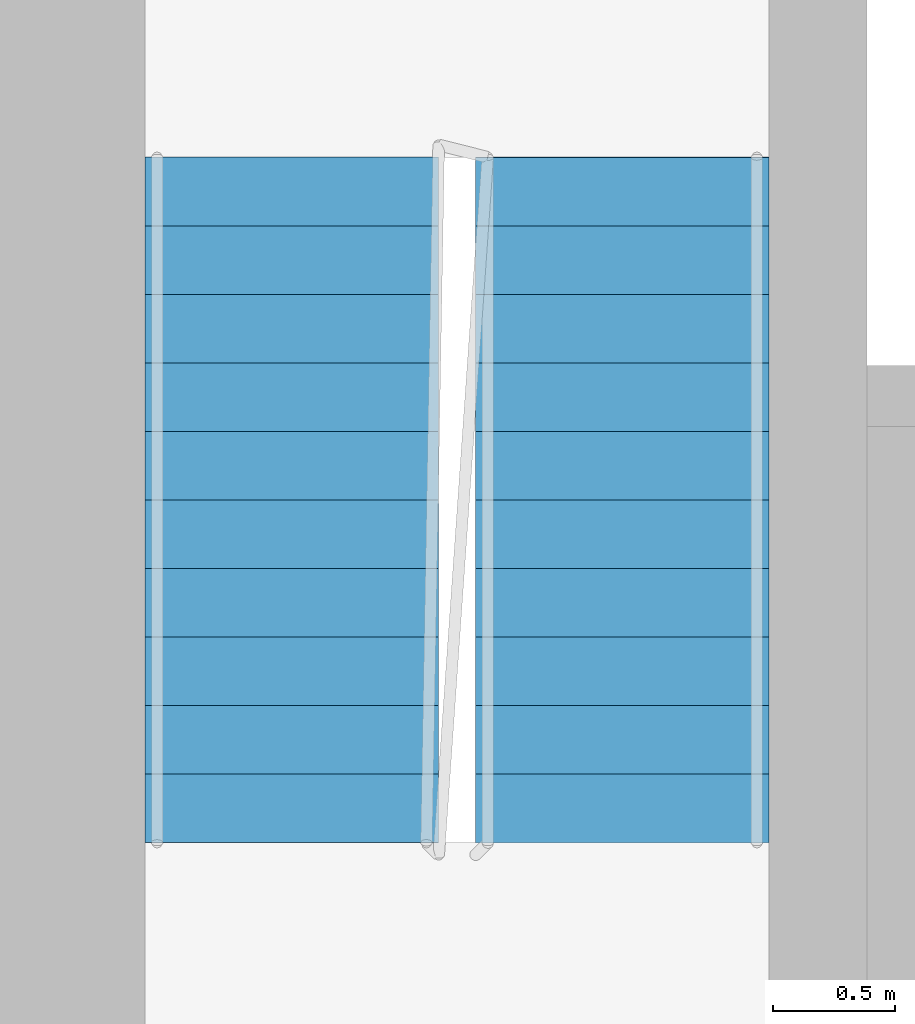
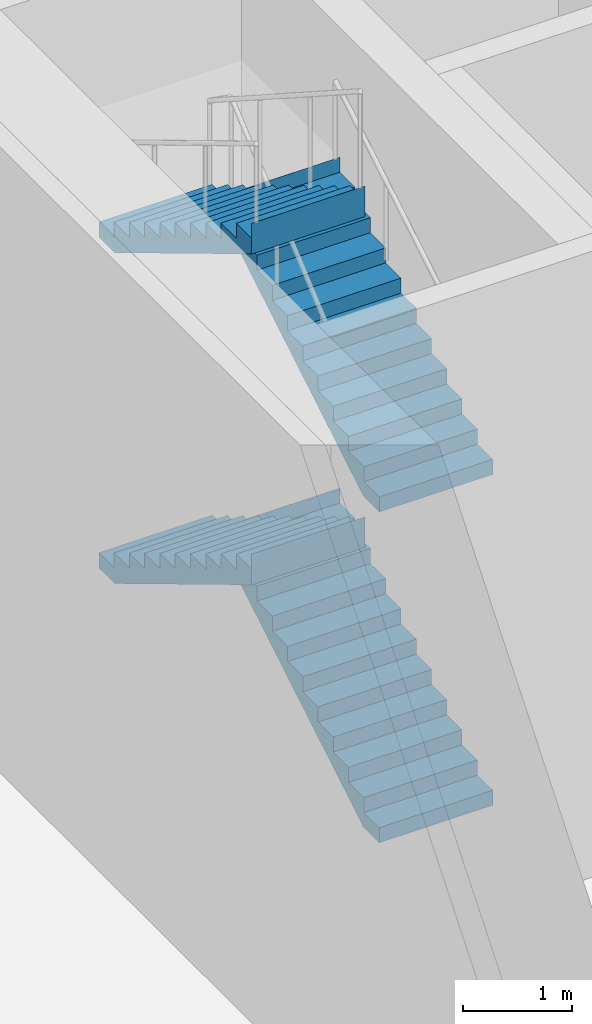
# One storey, part 20 of 25: 4 stair flights, 1 element without a shape of its own.
"""IFC4 building model written with IfcOpenShell, lengths in metres."""

from ifc_helpers import new_model, si_unit, direction, frame, origin, place, context, subcontext, project, spatial, faceted_brep, material, type_object, element, aggregate, save


model = new_model("IFC4")

# Units and contexts
model_context = context("Model", 3, precision=1e-05, world=origin(), true_north=direction((0.0, 1.0)))
body_context = subcontext(model_context, "Body", "Model", "MODEL_VIEW")
ifc_project = project(units=[si_unit("LENGTHUNIT", "METRE"), si_unit("AREAUNIT", "SQUARE_METRE"), si_unit("VOLUMEUNIT", "CUBIC_METRE"), si_unit("PLANEANGLEUNIT", "RADIAN"), si_unit("MASSUNIT", "GRAM", prefix="KILO")], contexts=[model_context])

# Site, building, storey
site_placement = place(None, origin())
site = spatial("IfcSite", under=ifc_project, at=site_placement, CompositionType="ELEMENT")
building_placement = place(site_placement, origin())
building = spatial("IfcBuilding", under=site, at=building_placement, Name="Kajstack Hotel Tower", CompositionType="ELEMENT")
storey_placement = place(building_placement, frame((0.0, 0.0, 155.0)))
storey = spatial("IfcBuildingStorey", under=building, at=storey_placement, Name="L36", CompositionType="ELEMENT", Elevation=155.0)

# Stair, stair flights
ifc_material = material(Name="Concrete C40/50", Category="concrete")
stair_type = type_object("IfcStairType", Name="Exit stair 1200", PredefinedType="HALF_TURN_STAIR", material=ifc_material)
stair_placement = place(storey_placement, origin())
stair = element("IfcStair", 1, at=stair_placement, inside=storey, type_object=stair_type, Name="L36 stair E2", PredefinedType="HALF_TURN_STAIR")
stair_flight_type = type_object("IfcStairFlightType", Name="Exit stair flight 1200", PredefinedType="STRAIGHT", material=ifc_material)
stair_flight_1_placement = place(storey_placement, frame((16.35009765625, 10.0, 0.0), z_axis=(0.0, 0.0, 1.0), x_axis=(0.0, 1.0, 0.0)))
stair_flight_1 = element("IfcStairFlight", 2, at=stair_flight_1_placement, type_object=stair_flight_type, Name="E2 flight 1", NumberOfRisers=11, NumberOfTreads=10, PredefinedType="STRAIGHT", RiserHeight=0.168181818, TreadLength=0.28, context=body_context, shape_type="Brep", body=[
    faceted_brep([(0.291748046875, -0.60009765625, 0.0), (2.800537109375, -0.60009765625, 1.5068359375), (2.800537109375, -0.60009765625, 1.85009765625), (2.800048828125, -0.60009765625, 1.85009765625), (2.800048828125, -0.60009765625, 1.681884765625), (2.52001953125, -0.60009765625, 1.681884765625), (2.52001953125, -0.60009765625, 1.513671875), (2.239990234375, -0.60009765625, 1.513671875), (2.239990234375, -0.60009765625, 1.345458984375), (1.9599609375, -0.60009765625, 1.345458984375), (1.9599609375, -0.60009765625, 1.17724609375), (1.679931640625, -0.60009765625, 1.17724609375), (1.679931640625, -0.60009765625, 1.009033203125), (1.39990234375, -0.60009765625, 1.009033203125), (1.39990234375, -0.60009765625, 0.8408203125), (1.1201171875, -0.60009765625, 0.8408203125), (1.1201171875, -0.60009765625, 0.672607421875), (0.840087890625, -0.60009765625, 0.672607421875), (0.840087890625, -0.60009765625, 0.504638671875), (0.56005859375, -0.60009765625, 0.504638671875), (0.56005859375, -0.60009765625, 0.33642578125), (0.280029296875, -0.60009765625, 0.33642578125), (0.280029296875, -0.60009765625, 0.168212890625), (-0.00048828125, -0.60009765625, 0.168212890625), (-0.00048828125, -0.60009765625, 0.0), (-0.00048828125, 0.60009765625, 0.0), (-0.00048828125, 0.60009765625, 0.168212890625), (0.280029296875, 0.60009765625, 0.168212890625), (0.280029296875, 0.60009765625, 0.33642578125), (0.56005859375, 0.60009765625, 0.33642578125), (0.56005859375, 0.60009765625, 0.504638671875), (0.840087890625, 0.60009765625, 0.504638671875), (0.840087890625, 0.60009765625, 0.672607421875), (1.1201171875, 0.60009765625, 0.672607421875), (1.1201171875, 0.60009765625, 0.8408203125), (1.39990234375, 0.60009765625, 0.8408203125), (1.39990234375, 0.60009765625, 1.009033203125), (1.679931640625, 0.60009765625, 1.009033203125), (1.679931640625, 0.60009765625, 1.17724609375), (1.9599609375, 0.60009765625, 1.17724609375), (1.9599609375, 0.60009765625, 1.345458984375), (2.239990234375, 0.60009765625, 1.345458984375), (2.239990234375, 0.60009765625, 1.513671875), (2.52001953125, 0.60009765625, 1.513671875), (2.52001953125, 0.60009765625, 1.681884765625), (2.800048828125, 0.60009765625, 1.681884765625), (2.800048828125, 0.60009765625, 1.85009765625), (2.800537109375, 0.60009765625, 1.85009765625), (2.800537109375, 0.60009765625, 1.5068359375), (0.291748046875, 0.60009765625, 0.0), (-0.00048828125, -0.300048828125, 0.168212890625), (-0.00048828125, 0.0, 0.168212890625), (-0.00048828125, 0.300048828125, 0.168212890625), (-0.00048828125, 0.300048828125, 0.0), (-0.00048828125, 0.0, 0.0), (-0.00048828125, -0.300048828125, 0.0), (0.280029296875, -0.300048828125, 0.168212890625), (0.280029296875, 0.0, 0.168212890625), (0.280029296875, 0.300048828125, 0.168212890625), (0.280029296875, -0.300048828125, 0.33642578125), (0.280029296875, 0.0, 0.33642578125), (0.280029296875, 0.300048828125, 0.33642578125), (0.56005859375, -0.300048828125, 0.33642578125), (0.56005859375, 0.0, 0.33642578125), (0.56005859375, 0.300048828125, 0.33642578125), (0.56005859375, -0.300048828125, 0.504638671875), (0.56005859375, 0.0, 0.504638671875), (0.56005859375, 0.300048828125, 0.504638671875), (0.840087890625, -0.300048828125, 0.504638671875), (0.840087890625, 0.0, 0.504638671875), (0.840087890625, 0.300048828125, 0.504638671875), (0.840087890625, -0.300048828125, 0.672607421875), (0.840087890625, 0.0, 0.672607421875), (0.840087890625, 0.300048828125, 0.672607421875), (1.1201171875, -0.300048828125, 0.672607421875), (1.1201171875, 0.0, 0.672607421875), (1.1201171875, 0.300048828125, 0.672607421875), (1.1201171875, -0.300048828125, 0.8408203125), (1.1201171875, 0.0, 0.8408203125), (1.1201171875, 0.300048828125, 0.8408203125), (1.39990234375, -0.300048828125, 0.8408203125), (1.39990234375, 0.0, 0.8408203125), (1.39990234375, 0.300048828125, 0.8408203125), (1.39990234375, -0.300048828125, 1.009033203125), (1.39990234375, 0.0, 1.009033203125), (1.39990234375, 0.300048828125, 1.009033203125), (1.679931640625, -0.300048828125, 1.009033203125), (1.679931640625, 0.0, 1.009033203125), (1.679931640625, 0.300048828125, 1.009033203125), (1.679931640625, -0.300048828125, 1.17724609375), (1.679931640625, 0.0, 1.17724609375), (1.679931640625, 0.300048828125, 1.17724609375), (1.9599609375, -0.300048828125, 1.17724609375), (1.9599609375, 0.0, 1.17724609375), (1.9599609375, 0.300048828125, 1.17724609375), (1.9599609375, -0.300048828125, 1.345458984375), (1.9599609375, 0.0, 1.345458984375), (1.9599609375, 0.300048828125, 1.345458984375), (2.239990234375, -0.300048828125, 1.345458984375), (2.239990234375, 0.0, 1.345458984375), (2.239990234375, 0.300048828125, 1.345458984375), (2.239990234375, -0.300048828125, 1.513671875), (2.239990234375, 0.0, 1.513671875), (2.239990234375, 0.300048828125, 1.513671875), (2.52001953125, -0.300048828125, 1.513671875), (2.52001953125, 0.0, 1.513671875), (2.52001953125, 0.300048828125, 1.513671875), (2.52001953125, -0.300048828125, 1.681884765625), (2.52001953125, 0.0, 1.681884765625), (2.52001953125, 0.300048828125, 1.681884765625), (2.800048828125, -0.300048828125, 1.681884765625), (2.800048828125, 0.0, 1.681884765625), (2.800048828125, 0.300048828125, 1.681884765625), (2.800048828125, -0.300048828125, 1.85009765625), (2.800048828125, 0.0, 1.85009765625), (2.800048828125, 0.300048828125, 1.85009765625), (2.800537109375, -0.300048828125, 1.85009765625), (2.800537109375, 0.0, 1.85009765625), (2.800537109375, 0.300048828125, 1.85009765625), (2.800537109375, -0.300048828125, 1.5068359375), (2.800537109375, 0.0, 1.5068359375), (2.800537109375, 0.300048828125, 1.5068359375), (0.291748046875, -0.300048828125, 0.0), (0.291748046875, 0.0, 0.0), (0.291748046875, 0.300048828125, 0.0)], [[[0, 1, 2, 3, 4, 5, 6, 7, 8, 9, 10, 11, 12, 13, 14, 15, 16, 17, 18, 19, 20, 21, 22, 23, 24]], [[25, 26, 27, 28, 29, 30, 31, 32, 33, 34, 35, 36, 37, 38, 39, 40, 41, 42, 43, 44, 45, 46, 47, 48, 49]], [[23, 50, 51, 52, 26, 25, 53, 54, 55, 24]], [[22, 56, 57, 58, 27, 26, 52, 51, 50, 23]], [[21, 59, 60, 61, 28, 27, 58, 57, 56, 22]], [[20, 62, 63, 64, 29, 28, 61, 60, 59, 21]], [[19, 65, 66, 67, 30, 29, 64, 63, 62, 20]], [[18, 68, 69, 70, 31, 30, 67, 66, 65, 19]], [[17, 71, 72, 73, 32, 31, 70, 69, 68, 18]], [[16, 74, 75, 76, 33, 32, 73, 72, 71, 17]], [[15, 77, 78, 79, 34, 33, 76, 75, 74, 16]], [[14, 80, 81, 82, 35, 34, 79, 78, 77, 15]], [[13, 83, 84, 85, 36, 35, 82, 81, 80, 14]], [[12, 86, 87, 88, 37, 36, 85, 84, 83, 13]], [[11, 89, 90, 91, 38, 37, 88, 87, 86, 12]], [[10, 92, 93, 94, 39, 38, 91, 90, 89, 11]], [[9, 95, 96, 97, 40, 39, 94, 93, 92, 10]], [[8, 98, 99, 100, 41, 40, 97, 96, 95, 9]], [[7, 101, 102, 103, 42, 41, 100, 99, 98, 8]], [[6, 104, 105, 106, 43, 42, 103, 102, 101, 7]], [[5, 107, 108, 109, 44, 43, 106, 105, 104, 6]], [[4, 110, 111, 112, 45, 44, 109, 108, 107, 5]], [[3, 113, 114, 115, 46, 45, 112, 111, 110, 4]], [[2, 116, 117, 118, 47, 46, 115, 114, 113, 3]], [[1, 119, 120, 121, 48, 47, 118, 117, 116, 2]], [[0, 122, 123, 124, 49, 48, 121, 120, 119, 1]], [[24, 55, 54, 53, 25, 49, 124, 123, 122, 0]]]),
])
stair_flight_2_placement = place(storey_placement, frame((15.0, 12.800048828125, 1.85009765625), z_axis=(0.0, 0.0, 1.0), x_axis=(0.0, -1.0, 0.0)))
stair_flight_2 = element("IfcStairFlight", 3, at=stair_flight_2_placement, type_object=stair_flight_type, Name="E2 flight 2", NumberOfRisers=11, NumberOfTreads=10, PredefinedType="STRAIGHT", RiserHeight=0.168181818, TreadLength=0.28, context=body_context, shape_type="Brep", body=[
    faceted_brep([(0.291748046875, -0.60009765625, 0.0), (2.800537109375, -0.60009765625, 1.5068359375), (2.800537109375, -0.60009765625, 1.85009765625), (2.800048828125, -0.60009765625, 1.85009765625), (2.800048828125, -0.60009765625, 1.681884765625), (2.52001953125, -0.60009765625, 1.681884765625), (2.52001953125, -0.60009765625, 1.513671875), (2.239990234375, -0.60009765625, 1.513671875), (2.239990234375, -0.60009765625, 1.345458984375), (1.9599609375, -0.60009765625, 1.345458984375), (1.9599609375, -0.60009765625, 1.17724609375), (1.679931640625, -0.60009765625, 1.17724609375), (1.679931640625, -0.60009765625, 1.009033203125), (1.39990234375, -0.60009765625, 1.009033203125), (1.39990234375, -0.60009765625, 0.8408203125), (1.1201171875, -0.60009765625, 0.8408203125), (1.1201171875, -0.60009765625, 0.672607421875), (0.840087890625, -0.60009765625, 0.672607421875), (0.840087890625, -0.60009765625, 0.504638671875), (0.56005859375, -0.60009765625, 0.504638671875), (0.56005859375, -0.60009765625, 0.33642578125), (0.280029296875, -0.60009765625, 0.33642578125), (0.280029296875, -0.60009765625, 0.168212890625), (-0.00048828125, -0.60009765625, 0.168212890625), (-0.00048828125, -0.60009765625, 0.0), (-0.00048828125, 0.60009765625, 0.0), (-0.00048828125, 0.60009765625, 0.168212890625), (0.280029296875, 0.60009765625, 0.168212890625), (0.280029296875, 0.60009765625, 0.33642578125), (0.56005859375, 0.60009765625, 0.33642578125), (0.56005859375, 0.60009765625, 0.504638671875), (0.840087890625, 0.60009765625, 0.504638671875), (0.840087890625, 0.60009765625, 0.672607421875), (1.1201171875, 0.60009765625, 0.672607421875), (1.1201171875, 0.60009765625, 0.8408203125), (1.39990234375, 0.60009765625, 0.8408203125), (1.39990234375, 0.60009765625, 1.009033203125), (1.679931640625, 0.60009765625, 1.009033203125), (1.679931640625, 0.60009765625, 1.17724609375), (1.9599609375, 0.60009765625, 1.17724609375), (1.9599609375, 0.60009765625, 1.345458984375), (2.239990234375, 0.60009765625, 1.345458984375), (2.239990234375, 0.60009765625, 1.513671875), (2.52001953125, 0.60009765625, 1.513671875), (2.52001953125, 0.60009765625, 1.681884765625), (2.800048828125, 0.60009765625, 1.681884765625), (2.800048828125, 0.60009765625, 1.85009765625), (2.800537109375, 0.60009765625, 1.85009765625), (2.800537109375, 0.60009765625, 1.5068359375), (0.291748046875, 0.60009765625, 0.0), (-0.00048828125, -0.300048828125, 0.168212890625), (-0.00048828125, 0.0, 0.168212890625), (-0.00048828125, 0.300048828125, 0.168212890625), (-0.00048828125, 0.300048828125, 0.0), (-0.00048828125, 0.0, 0.0), (-0.00048828125, -0.300048828125, 0.0), (0.280029296875, -0.300048828125, 0.168212890625), (0.280029296875, 0.0, 0.168212890625), (0.280029296875, 0.300048828125, 0.168212890625), (0.280029296875, -0.300048828125, 0.33642578125), (0.280029296875, 0.0, 0.33642578125), (0.280029296875, 0.300048828125, 0.33642578125), (0.56005859375, -0.300048828125, 0.33642578125), (0.56005859375, 0.0, 0.33642578125), (0.56005859375, 0.300048828125, 0.33642578125), (0.56005859375, -0.300048828125, 0.504638671875), (0.56005859375, 0.0, 0.504638671875), (0.56005859375, 0.300048828125, 0.504638671875), (0.840087890625, -0.300048828125, 0.504638671875), (0.840087890625, 0.0, 0.504638671875), (0.840087890625, 0.300048828125, 0.504638671875), (0.840087890625, -0.300048828125, 0.672607421875), (0.840087890625, 0.0, 0.672607421875), (0.840087890625, 0.300048828125, 0.672607421875), (1.1201171875, -0.300048828125, 0.672607421875), (1.1201171875, 0.0, 0.672607421875), (1.1201171875, 0.300048828125, 0.672607421875), (1.1201171875, -0.300048828125, 0.8408203125), (1.1201171875, 0.0, 0.8408203125), (1.1201171875, 0.300048828125, 0.8408203125), (1.39990234375, -0.300048828125, 0.8408203125), (1.39990234375, 0.0, 0.8408203125), (1.39990234375, 0.300048828125, 0.8408203125), (1.39990234375, -0.300048828125, 1.009033203125), (1.39990234375, 0.0, 1.009033203125), (1.39990234375, 0.300048828125, 1.009033203125), (1.679931640625, -0.300048828125, 1.009033203125), (1.679931640625, 0.0, 1.009033203125), (1.679931640625, 0.300048828125, 1.009033203125), (1.679931640625, -0.300048828125, 1.17724609375), (1.679931640625, 0.0, 1.17724609375), (1.679931640625, 0.300048828125, 1.17724609375), (1.9599609375, -0.300048828125, 1.17724609375), (1.9599609375, 0.0, 1.17724609375), (1.9599609375, 0.300048828125, 1.17724609375), (1.9599609375, -0.300048828125, 1.345458984375), (1.9599609375, 0.0, 1.345458984375), (1.9599609375, 0.300048828125, 1.345458984375), (2.239990234375, -0.300048828125, 1.345458984375), (2.239990234375, 0.0, 1.345458984375), (2.239990234375, 0.300048828125, 1.345458984375), (2.239990234375, -0.300048828125, 1.513671875), (2.239990234375, 0.0, 1.513671875), (2.239990234375, 0.300048828125, 1.513671875), (2.52001953125, -0.300048828125, 1.513671875), (2.52001953125, 0.0, 1.513671875), (2.52001953125, 0.300048828125, 1.513671875), (2.52001953125, -0.300048828125, 1.681884765625), (2.52001953125, 0.0, 1.681884765625), (2.52001953125, 0.300048828125, 1.681884765625), (2.800048828125, -0.300048828125, 1.681884765625), (2.800048828125, 0.0, 1.681884765625), (2.800048828125, 0.300048828125, 1.681884765625), (2.800048828125, -0.300048828125, 1.85009765625), (2.800048828125, 0.0, 1.85009765625), (2.800048828125, 0.300048828125, 1.85009765625), (2.800537109375, -0.300048828125, 1.85009765625), (2.800537109375, 0.0, 1.85009765625), (2.800537109375, 0.300048828125, 1.85009765625), (2.800537109375, -0.300048828125, 1.5068359375), (2.800537109375, 0.0, 1.5068359375), (2.800537109375, 0.300048828125, 1.5068359375), (0.291748046875, -0.300048828125, 0.0), (0.291748046875, 0.0, 0.0), (0.291748046875, 0.300048828125, 0.0)], [[[0, 1, 2, 3, 4, 5, 6, 7, 8, 9, 10, 11, 12, 13, 14, 15, 16, 17, 18, 19, 20, 21, 22, 23, 24]], [[25, 26, 27, 28, 29, 30, 31, 32, 33, 34, 35, 36, 37, 38, 39, 40, 41, 42, 43, 44, 45, 46, 47, 48, 49]], [[23, 50, 51, 52, 26, 25, 53, 54, 55, 24]], [[22, 56, 57, 58, 27, 26, 52, 51, 50, 23]], [[21, 59, 60, 61, 28, 27, 58, 57, 56, 22]], [[20, 62, 63, 64, 29, 28, 61, 60, 59, 21]], [[19, 65, 66, 67, 30, 29, 64, 63, 62, 20]], [[18, 68, 69, 70, 31, 30, 67, 66, 65, 19]], [[17, 71, 72, 73, 32, 31, 70, 69, 68, 18]], [[16, 74, 75, 76, 33, 32, 73, 72, 71, 17]], [[15, 77, 78, 79, 34, 33, 76, 75, 74, 16]], [[14, 80, 81, 82, 35, 34, 79, 78, 77, 15]], [[13, 83, 84, 85, 36, 35, 82, 81, 80, 14]], [[12, 86, 87, 88, 37, 36, 85, 84, 83, 13]], [[11, 89, 90, 91, 38, 37, 88, 87, 86, 12]], [[10, 92, 93, 94, 39, 38, 91, 90, 89, 11]], [[9, 95, 96, 97, 40, 39, 94, 93, 92, 10]], [[8, 98, 99, 100, 41, 40, 97, 96, 95, 9]], [[7, 101, 102, 103, 42, 41, 100, 99, 98, 8]], [[6, 104, 105, 106, 43, 42, 103, 102, 101, 7]], [[5, 107, 108, 109, 44, 43, 106, 105, 104, 6]], [[4, 110, 111, 112, 45, 44, 109, 108, 107, 5]], [[3, 113, 114, 115, 46, 45, 112, 111, 110, 4]], [[2, 116, 117, 118, 47, 46, 115, 114, 113, 3]], [[1, 119, 120, 121, 48, 47, 118, 117, 116, 2]], [[0, 122, 123, 124, 49, 48, 121, 120, 119, 1]], [[24, 55, 54, 53, 25, 49, 124, 123, 122, 0]]]),
])
stair_flight_3_placement = place(storey_placement, frame((16.35009765625, 10.0, 3.699951171875), z_axis=(0.0, 0.0, 1.0), x_axis=(0.0, 1.0, 0.0)))
stair_flight_3 = element("IfcStairFlight", 4, at=stair_flight_3_placement, type_object=stair_flight_type, Name="E2 flight 3", NumberOfRisers=11, NumberOfTreads=10, PredefinedType="STRAIGHT", RiserHeight=0.168181818, TreadLength=0.28, context=body_context, shape_type="Brep", body=[
    faceted_brep([(0.291748046875, -0.60009765625, 0.0), (2.800537109375, -0.60009765625, 1.5068359375), (2.800537109375, -0.60009765625, 1.85009765625), (2.800048828125, -0.60009765625, 1.85009765625), (2.800048828125, -0.60009765625, 1.681884765625), (2.52001953125, -0.60009765625, 1.681884765625), (2.52001953125, -0.60009765625, 1.513671875), (2.239990234375, -0.60009765625, 1.513671875), (2.239990234375, -0.60009765625, 1.345458984375), (1.9599609375, -0.60009765625, 1.345458984375), (1.9599609375, -0.60009765625, 1.17724609375), (1.679931640625, -0.60009765625, 1.17724609375), (1.679931640625, -0.60009765625, 1.009033203125), (1.39990234375, -0.60009765625, 1.009033203125), (1.39990234375, -0.60009765625, 0.8408203125), (1.1201171875, -0.60009765625, 0.8408203125), (1.1201171875, -0.60009765625, 0.672607421875), (0.840087890625, -0.60009765625, 0.672607421875), (0.840087890625, -0.60009765625, 0.504638671875), (0.56005859375, -0.60009765625, 0.504638671875), (0.56005859375, -0.60009765625, 0.33642578125), (0.280029296875, -0.60009765625, 0.33642578125), (0.280029296875, -0.60009765625, 0.168212890625), (-0.00048828125, -0.60009765625, 0.168212890625), (-0.00048828125, -0.60009765625, 0.0), (-0.00048828125, 0.60009765625, 0.0), (-0.00048828125, 0.60009765625, 0.168212890625), (0.280029296875, 0.60009765625, 0.168212890625), (0.280029296875, 0.60009765625, 0.33642578125), (0.56005859375, 0.60009765625, 0.33642578125), (0.56005859375, 0.60009765625, 0.504638671875), (0.840087890625, 0.60009765625, 0.504638671875), (0.840087890625, 0.60009765625, 0.672607421875), (1.1201171875, 0.60009765625, 0.672607421875), (1.1201171875, 0.60009765625, 0.8408203125), (1.39990234375, 0.60009765625, 0.8408203125), (1.39990234375, 0.60009765625, 1.009033203125), (1.679931640625, 0.60009765625, 1.009033203125), (1.679931640625, 0.60009765625, 1.17724609375), (1.9599609375, 0.60009765625, 1.17724609375), (1.9599609375, 0.60009765625, 1.345458984375), (2.239990234375, 0.60009765625, 1.345458984375), (2.239990234375, 0.60009765625, 1.513671875), (2.52001953125, 0.60009765625, 1.513671875), (2.52001953125, 0.60009765625, 1.681884765625), (2.800048828125, 0.60009765625, 1.681884765625), (2.800048828125, 0.60009765625, 1.85009765625), (2.800537109375, 0.60009765625, 1.85009765625), (2.800537109375, 0.60009765625, 1.5068359375), (0.291748046875, 0.60009765625, 0.0), (-0.00048828125, -0.300048828125, 0.168212890625), (-0.00048828125, 0.0, 0.168212890625), (-0.00048828125, 0.300048828125, 0.168212890625), (-0.00048828125, 0.300048828125, 0.0), (-0.00048828125, 0.0, 0.0), (-0.00048828125, -0.300048828125, 0.0), (0.280029296875, -0.300048828125, 0.168212890625), (0.280029296875, 0.0, 0.168212890625), (0.280029296875, 0.300048828125, 0.168212890625), (0.280029296875, -0.300048828125, 0.33642578125), (0.280029296875, 0.0, 0.33642578125), (0.280029296875, 0.300048828125, 0.33642578125), (0.56005859375, -0.300048828125, 0.33642578125), (0.56005859375, 0.0, 0.33642578125), (0.56005859375, 0.300048828125, 0.33642578125), (0.56005859375, -0.300048828125, 0.504638671875), (0.56005859375, 0.0, 0.504638671875), (0.56005859375, 0.300048828125, 0.504638671875), (0.840087890625, -0.300048828125, 0.504638671875), (0.840087890625, 0.0, 0.504638671875), (0.840087890625, 0.300048828125, 0.504638671875), (0.840087890625, -0.300048828125, 0.672607421875), (0.840087890625, 0.0, 0.672607421875), (0.840087890625, 0.300048828125, 0.672607421875), (1.1201171875, -0.300048828125, 0.672607421875), (1.1201171875, 0.0, 0.672607421875), (1.1201171875, 0.300048828125, 0.672607421875), (1.1201171875, -0.300048828125, 0.8408203125), (1.1201171875, 0.0, 0.8408203125), (1.1201171875, 0.300048828125, 0.8408203125), (1.39990234375, -0.300048828125, 0.8408203125), (1.39990234375, 0.0, 0.8408203125), (1.39990234375, 0.300048828125, 0.8408203125), (1.39990234375, -0.300048828125, 1.009033203125), (1.39990234375, 0.0, 1.009033203125), (1.39990234375, 0.300048828125, 1.009033203125), (1.679931640625, -0.300048828125, 1.009033203125), (1.679931640625, 0.0, 1.009033203125), (1.679931640625, 0.300048828125, 1.009033203125), (1.679931640625, -0.300048828125, 1.17724609375), (1.679931640625, 0.0, 1.17724609375), (1.679931640625, 0.300048828125, 1.17724609375), (1.9599609375, -0.300048828125, 1.17724609375), (1.9599609375, 0.0, 1.17724609375), (1.9599609375, 0.300048828125, 1.17724609375), (1.9599609375, -0.300048828125, 1.345458984375), (1.9599609375, 0.0, 1.345458984375), (1.9599609375, 0.300048828125, 1.345458984375), (2.239990234375, -0.300048828125, 1.345458984375), (2.239990234375, 0.0, 1.345458984375), (2.239990234375, 0.300048828125, 1.345458984375), (2.239990234375, -0.300048828125, 1.513671875), (2.239990234375, 0.0, 1.513671875), (2.239990234375, 0.300048828125, 1.513671875), (2.52001953125, -0.300048828125, 1.513671875), (2.52001953125, 0.0, 1.513671875), (2.52001953125, 0.300048828125, 1.513671875), (2.52001953125, -0.300048828125, 1.681884765625), (2.52001953125, 0.0, 1.681884765625), (2.52001953125, 0.300048828125, 1.681884765625), (2.800048828125, -0.300048828125, 1.681884765625), (2.800048828125, 0.0, 1.681884765625), (2.800048828125, 0.300048828125, 1.681884765625), (2.800048828125, -0.300048828125, 1.85009765625), (2.800048828125, 0.0, 1.85009765625), (2.800048828125, 0.300048828125, 1.85009765625), (2.800537109375, -0.300048828125, 1.85009765625), (2.800537109375, 0.0, 1.85009765625), (2.800537109375, 0.300048828125, 1.85009765625), (2.800537109375, -0.300048828125, 1.5068359375), (2.800537109375, 0.0, 1.5068359375), (2.800537109375, 0.300048828125, 1.5068359375), (0.291748046875, -0.300048828125, 0.0), (0.291748046875, 0.0, 0.0), (0.291748046875, 0.300048828125, 0.0)], [[[0, 1, 2, 3, 4, 5, 6, 7, 8, 9, 10, 11, 12, 13, 14, 15, 16, 17, 18, 19, 20, 21, 22, 23, 24]], [[25, 26, 27, 28, 29, 30, 31, 32, 33, 34, 35, 36, 37, 38, 39, 40, 41, 42, 43, 44, 45, 46, 47, 48, 49]], [[23, 50, 51, 52, 26, 25, 53, 54, 55, 24]], [[22, 56, 57, 58, 27, 26, 52, 51, 50, 23]], [[21, 59, 60, 61, 28, 27, 58, 57, 56, 22]], [[20, 62, 63, 64, 29, 28, 61, 60, 59, 21]], [[19, 65, 66, 67, 30, 29, 64, 63, 62, 20]], [[18, 68, 69, 70, 31, 30, 67, 66, 65, 19]], [[17, 71, 72, 73, 32, 31, 70, 69, 68, 18]], [[16, 74, 75, 76, 33, 32, 73, 72, 71, 17]], [[15, 77, 78, 79, 34, 33, 76, 75, 74, 16]], [[14, 80, 81, 82, 35, 34, 79, 78, 77, 15]], [[13, 83, 84, 85, 36, 35, 82, 81, 80, 14]], [[12, 86, 87, 88, 37, 36, 85, 84, 83, 13]], [[11, 89, 90, 91, 38, 37, 88, 87, 86, 12]], [[10, 92, 93, 94, 39, 38, 91, 90, 89, 11]], [[9, 95, 96, 97, 40, 39, 94, 93, 92, 10]], [[8, 98, 99, 100, 41, 40, 97, 96, 95, 9]], [[7, 101, 102, 103, 42, 41, 100, 99, 98, 8]], [[6, 104, 105, 106, 43, 42, 103, 102, 101, 7]], [[5, 107, 108, 109, 44, 43, 106, 105, 104, 6]], [[4, 110, 111, 112, 45, 44, 109, 108, 107, 5]], [[3, 113, 114, 115, 46, 45, 112, 111, 110, 4]], [[2, 116, 117, 118, 47, 46, 115, 114, 113, 3]], [[1, 119, 120, 121, 48, 47, 118, 117, 116, 2]], [[0, 122, 123, 124, 49, 48, 121, 120, 119, 1]], [[24, 55, 54, 53, 25, 49, 124, 123, 122, 0]]]),
])
stair_flight_4_placement = place(storey_placement, frame((15.0, 12.800048828125, 5.550048828125), z_axis=(0.0, 0.0, 1.0), x_axis=(0.0, -1.0, 0.0)))
stair_flight_4 = element("IfcStairFlight", 5, at=stair_flight_4_placement, type_object=stair_flight_type, Name="E2 flight 4", NumberOfRisers=11, NumberOfTreads=10, PredefinedType="STRAIGHT", RiserHeight=0.168181818, TreadLength=0.28, context=body_context, shape_type="Brep", body=[
    faceted_brep([(0.291748046875, -0.60009765625, 0.0), (2.800537109375, -0.60009765625, 1.5068359375), (2.800537109375, -0.60009765625, 1.85009765625), (2.800048828125, -0.60009765625, 1.85009765625), (2.800048828125, -0.60009765625, 1.681884765625), (2.52001953125, -0.60009765625, 1.681884765625), (2.52001953125, -0.60009765625, 1.513671875), (2.239990234375, -0.60009765625, 1.513671875), (2.239990234375, -0.60009765625, 1.345458984375), (1.9599609375, -0.60009765625, 1.345458984375), (1.9599609375, -0.60009765625, 1.17724609375), (1.679931640625, -0.60009765625, 1.17724609375), (1.679931640625, -0.60009765625, 1.009033203125), (1.39990234375, -0.60009765625, 1.009033203125), (1.39990234375, -0.60009765625, 0.8408203125), (1.1201171875, -0.60009765625, 0.8408203125), (1.1201171875, -0.60009765625, 0.672607421875), (0.840087890625, -0.60009765625, 0.672607421875), (0.840087890625, -0.60009765625, 0.504638671875), (0.56005859375, -0.60009765625, 0.504638671875), (0.56005859375, -0.60009765625, 0.33642578125), (0.280029296875, -0.60009765625, 0.33642578125), (0.280029296875, -0.60009765625, 0.168212890625), (-0.00048828125, -0.60009765625, 0.168212890625), (-0.00048828125, -0.60009765625, 0.0), (-0.00048828125, 0.60009765625, 0.0), (-0.00048828125, 0.60009765625, 0.168212890625), (0.280029296875, 0.60009765625, 0.168212890625), (0.280029296875, 0.60009765625, 0.33642578125), (0.56005859375, 0.60009765625, 0.33642578125), (0.56005859375, 0.60009765625, 0.504638671875), (0.840087890625, 0.60009765625, 0.504638671875), (0.840087890625, 0.60009765625, 0.672607421875), (1.1201171875, 0.60009765625, 0.672607421875), (1.1201171875, 0.60009765625, 0.8408203125), (1.39990234375, 0.60009765625, 0.8408203125), (1.39990234375, 0.60009765625, 1.009033203125), (1.679931640625, 0.60009765625, 1.009033203125), (1.679931640625, 0.60009765625, 1.17724609375), (1.9599609375, 0.60009765625, 1.17724609375), (1.9599609375, 0.60009765625, 1.345458984375), (2.239990234375, 0.60009765625, 1.345458984375), (2.239990234375, 0.60009765625, 1.513671875), (2.52001953125, 0.60009765625, 1.513671875), (2.52001953125, 0.60009765625, 1.681884765625), (2.800048828125, 0.60009765625, 1.681884765625), (2.800048828125, 0.60009765625, 1.85009765625), (2.800537109375, 0.60009765625, 1.85009765625), (2.800537109375, 0.60009765625, 1.5068359375), (0.291748046875, 0.60009765625, 0.0), (-0.00048828125, -0.300048828125, 0.168212890625), (-0.00048828125, 0.0, 0.168212890625), (-0.00048828125, 0.300048828125, 0.168212890625), (-0.00048828125, 0.300048828125, 0.0), (-0.00048828125, 0.0, 0.0), (-0.00048828125, -0.300048828125, 0.0), (0.280029296875, -0.300048828125, 0.168212890625), (0.280029296875, 0.0, 0.168212890625), (0.280029296875, 0.300048828125, 0.168212890625), (0.280029296875, -0.300048828125, 0.33642578125), (0.280029296875, 0.0, 0.33642578125), (0.280029296875, 0.300048828125, 0.33642578125), (0.56005859375, -0.300048828125, 0.33642578125), (0.56005859375, 0.0, 0.33642578125), (0.56005859375, 0.300048828125, 0.33642578125), (0.56005859375, -0.300048828125, 0.504638671875), (0.56005859375, 0.0, 0.504638671875), (0.56005859375, 0.300048828125, 0.504638671875), (0.840087890625, -0.300048828125, 0.504638671875), (0.840087890625, 0.0, 0.504638671875), (0.840087890625, 0.300048828125, 0.504638671875), (0.840087890625, -0.300048828125, 0.672607421875), (0.840087890625, 0.0, 0.672607421875), (0.840087890625, 0.300048828125, 0.672607421875), (1.1201171875, -0.300048828125, 0.672607421875), (1.1201171875, 0.0, 0.672607421875), (1.1201171875, 0.300048828125, 0.672607421875), (1.1201171875, -0.300048828125, 0.8408203125), (1.1201171875, 0.0, 0.8408203125), (1.1201171875, 0.300048828125, 0.8408203125), (1.39990234375, -0.300048828125, 0.8408203125), (1.39990234375, 0.0, 0.8408203125), (1.39990234375, 0.300048828125, 0.8408203125), (1.39990234375, -0.300048828125, 1.009033203125), (1.39990234375, 0.0, 1.009033203125), (1.39990234375, 0.300048828125, 1.009033203125), (1.679931640625, -0.300048828125, 1.009033203125), (1.679931640625, 0.0, 1.009033203125), (1.679931640625, 0.300048828125, 1.009033203125), (1.679931640625, -0.300048828125, 1.17724609375), (1.679931640625, 0.0, 1.17724609375), (1.679931640625, 0.300048828125, 1.17724609375), (1.9599609375, -0.300048828125, 1.17724609375), (1.9599609375, 0.0, 1.17724609375), (1.9599609375, 0.300048828125, 1.17724609375), (1.9599609375, -0.300048828125, 1.345458984375), (1.9599609375, 0.0, 1.345458984375), (1.9599609375, 0.300048828125, 1.345458984375), (2.239990234375, -0.300048828125, 1.345458984375), (2.239990234375, 0.0, 1.345458984375), (2.239990234375, 0.300048828125, 1.345458984375), (2.239990234375, -0.300048828125, 1.513671875), (2.239990234375, 0.0, 1.513671875), (2.239990234375, 0.300048828125, 1.513671875), (2.52001953125, -0.300048828125, 1.513671875), (2.52001953125, 0.0, 1.513671875), (2.52001953125, 0.300048828125, 1.513671875), (2.52001953125, -0.300048828125, 1.681884765625), (2.52001953125, 0.0, 1.681884765625), (2.52001953125, 0.300048828125, 1.681884765625), (2.800048828125, -0.300048828125, 1.681884765625), (2.800048828125, 0.0, 1.681884765625), (2.800048828125, 0.300048828125, 1.681884765625), (2.800048828125, -0.300048828125, 1.85009765625), (2.800048828125, 0.0, 1.85009765625), (2.800048828125, 0.300048828125, 1.85009765625), (2.800537109375, -0.300048828125, 1.85009765625), (2.800537109375, 0.0, 1.85009765625), (2.800537109375, 0.300048828125, 1.85009765625), (2.800537109375, -0.300048828125, 1.5068359375), (2.800537109375, 0.0, 1.5068359375), (2.800537109375, 0.300048828125, 1.5068359375), (0.291748046875, -0.300048828125, 0.0), (0.291748046875, 0.0, 0.0), (0.291748046875, 0.300048828125, 0.0)], [[[0, 1, 2, 3, 4, 5, 6, 7, 8, 9, 10, 11, 12, 13, 14, 15, 16, 17, 18, 19, 20, 21, 22, 23, 24]], [[25, 26, 27, 28, 29, 30, 31, 32, 33, 34, 35, 36, 37, 38, 39, 40, 41, 42, 43, 44, 45, 46, 47, 48, 49]], [[23, 50, 51, 52, 26, 25, 53, 54, 55, 24]], [[22, 56, 57, 58, 27, 26, 52, 51, 50, 23]], [[21, 59, 60, 61, 28, 27, 58, 57, 56, 22]], [[20, 62, 63, 64, 29, 28, 61, 60, 59, 21]], [[19, 65, 66, 67, 30, 29, 64, 63, 62, 20]], [[18, 68, 69, 70, 31, 30, 67, 66, 65, 19]], [[17, 71, 72, 73, 32, 31, 70, 69, 68, 18]], [[16, 74, 75, 76, 33, 32, 73, 72, 71, 17]], [[15, 77, 78, 79, 34, 33, 76, 75, 74, 16]], [[14, 80, 81, 82, 35, 34, 79, 78, 77, 15]], [[13, 83, 84, 85, 36, 35, 82, 81, 80, 14]], [[12, 86, 87, 88, 37, 36, 85, 84, 83, 13]], [[11, 89, 90, 91, 38, 37, 88, 87, 86, 12]], [[10, 92, 93, 94, 39, 38, 91, 90, 89, 11]], [[9, 95, 96, 97, 40, 39, 94, 93, 92, 10]], [[8, 98, 99, 100, 41, 40, 97, 96, 95, 9]], [[7, 101, 102, 103, 42, 41, 100, 99, 98, 8]], [[6, 104, 105, 106, 43, 42, 103, 102, 101, 7]], [[5, 107, 108, 109, 44, 43, 106, 105, 104, 6]], [[4, 110, 111, 112, 45, 44, 109, 108, 107, 5]], [[3, 113, 114, 115, 46, 45, 112, 111, 110, 4]], [[2, 116, 117, 118, 47, 46, 115, 114, 113, 3]], [[1, 119, 120, 121, 48, 47, 118, 117, 116, 2]], [[0, 122, 123, 124, 49, 48, 121, 120, 119, 1]], [[24, 55, 54, 53, 25, 49, 124, 123, 122, 0]]]),
])
aggregate(stair, [stair_flight_1, stair_flight_2, stair_flight_3, stair_flight_4])

save(model, "model.ifc")
